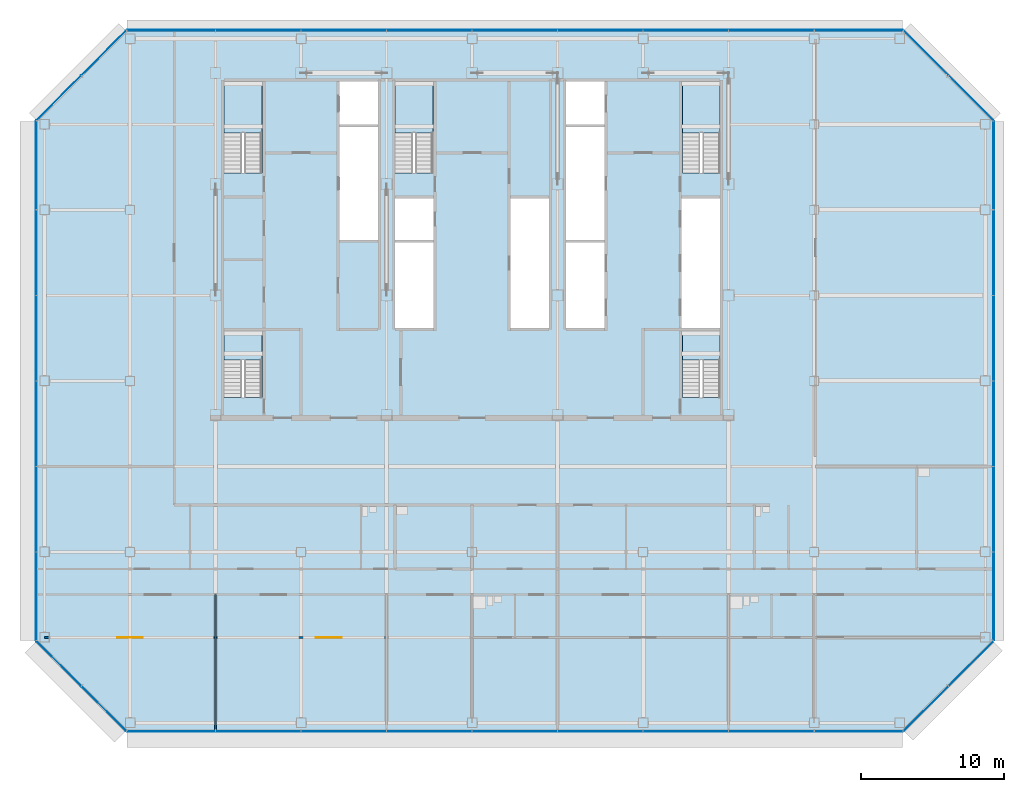
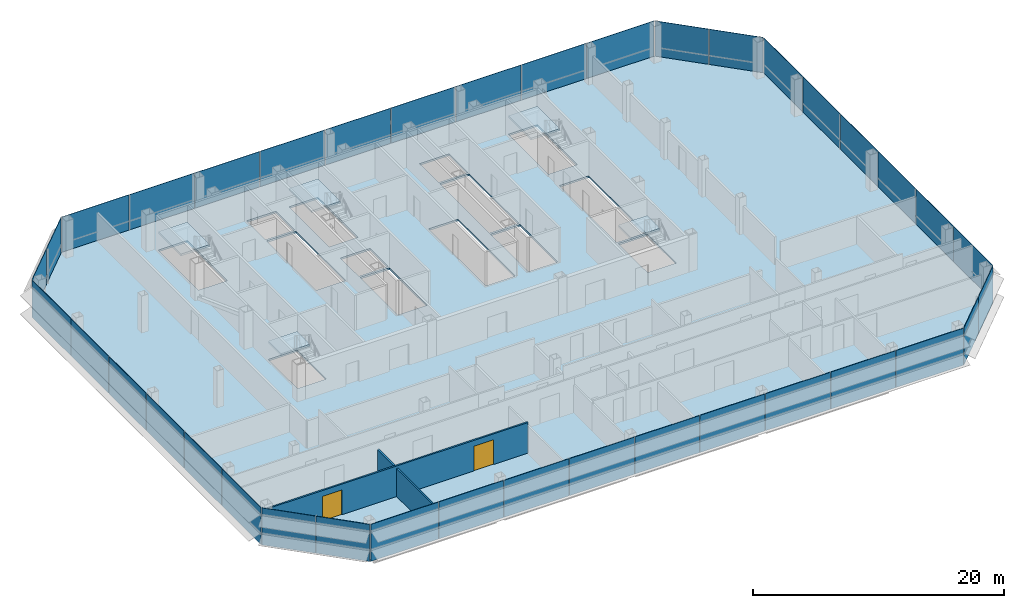
# One storey, part 18 of 24: 38 plates, 6 slabs, 2 doors, 2 walls, 2 openings, 13 elements without a shape of their own.
"""IFC4 building model written with IfcOpenShell, lengths in metres."""

from ifc_helpers import new_model, si_unit, direction, frame, frame_2d, origin, origin_2d, place, context, subcontext, project, spatial, polyline, rectangle, outline, extrude, material, layer, layer_set, type_object, element, fill, aggregate, save


model = new_model("IFC4")

# Units and contexts
model_context = context("Model", 3, precision=1e-05, world=origin(), true_north=direction((0.0, 1.0)))
body_context = subcontext(model_context, "Body", "Model", "MODEL_VIEW")
ifc_project = project(units=[si_unit("LENGTHUNIT", "METRE"), si_unit("AREAUNIT", "SQUARE_METRE"), si_unit("VOLUMEUNIT", "CUBIC_METRE"), si_unit("PLANEANGLEUNIT", "RADIAN"), si_unit("MASSUNIT", "GRAM", prefix="KILO")], contexts=[model_context])

# Site, building, storey
site_placement = place(None, origin())
site = spatial("IfcSite", under=ifc_project, at=site_placement, CompositionType="ELEMENT")
building_placement = place(site_placement, origin())
building = spatial("IfcBuilding", under=site, at=building_placement, Name="Sorahane Residences", CompositionType="ELEMENT")
storey_placement = place(building_placement, frame((0.0, 0.0, 178.0)))
storey = spatial("IfcBuildingStorey", under=building, at=storey_placement, Name="L41", CompositionType="ELEMENT", Elevation=178.0)

# Slab
ifc_material_1 = material(Name="Concrete C35", Category="concrete")
ifc_layer_1 = layer(ifc_material_1, 0.179931640625)
ifc_layer_set_1 = layer_set([ifc_layer_1], Name="Composite floor slab 180 mm Concrete C35")
slab_type_1 = type_object("IfcSlabType", Name="Composite floor slab 180 mm Concrete C35", PredefinedType="FLOOR", material=ifc_layer_set_1)
slab_1_placement = place(storey_placement, frame((0.0, 0.0, -0.179931640625)))
element("IfcSlab", 1, at=slab_1_placement, inside=storey, type_object=slab_type_1, Name="Slab L41", PredefinedType="FLOOR", context=body_context, shape_type="SweptSolid", body=[
    extrude(outline(polyline([(-0.24853515625, -0.60009765625), (-6.60009765625, 5.75146484375), (-6.60009765625, 42.24853515625), (-0.24853515625, 48.60009765625), (54.24853515625, 48.60009765625), (60.60009765625, 42.24853515625), (60.60009765625, 5.75146484375), (54.24853515625, -0.60009765625), (-0.24853515625, -0.60009765625)]), holes=[polyline([(18.60009765625, 27.699951171875), (21.300048828125, 27.699951171875), (21.300048828125, 33.699951171875), (18.60009765625, 33.699951171875), (18.60009765625, 27.699951171875)]), polyline([(38.699951171875, 27.699951171875), (41.39990234375, 27.699951171875), (41.39990234375, 36.800048828125), (38.699951171875, 36.800048828125), (38.699951171875, 27.699951171875)]), polyline([(30.60009765625, 27.699951171875), (33.300048828125, 27.699951171875), (33.300048828125, 33.699951171875), (30.60009765625, 33.699951171875), (30.60009765625, 27.699951171875)]), polyline([(30.60009765625, 42.0), (33.300048828125, 42.0), (33.300048828125, 45.0), (30.60009765625, 45.0), (30.60009765625, 42.0)]), polyline([(14.699951171875, 42.0), (17.39990234375, 42.0), (17.39990234375, 45.0), (14.699951171875, 45.0), (14.699951171875, 42.0)]), polyline([(9.25, 38.60009765625), (9.25, 45.0), (6.60009765625, 45.0), (6.60009765625, 38.60009765625), (9.25, 38.60009765625)]), polyline([(41.39990234375, 38.60009765625), (41.39990234375, 45.0), (38.75, 45.0), (38.75, 38.60009765625), (41.39990234375, 38.60009765625)]), polyline([(21.25, 38.60009765625), (21.25, 45.0), (18.60009765625, 45.0), (18.60009765625, 38.60009765625), (21.25, 38.60009765625)]), polyline([(9.25, 22.85009765625), (9.25, 27.5), (6.60009765625, 27.5), (6.60009765625, 22.85009765625), (9.25, 22.85009765625)]), polyline([(41.39990234375, 22.85009765625), (41.39990234375, 27.5), (38.75, 27.5), (38.75, 22.85009765625), (41.39990234375, 22.85009765625)]), polyline([(14.699951171875, 33.89990234375), (17.39990234375, 33.89990234375), (17.39990234375, 41.800048828125), (14.699951171875, 41.800048828125), (14.699951171875, 33.89990234375)]), polyline([(30.60009765625, 33.89990234375), (33.300048828125, 33.89990234375), (33.300048828125, 41.800048828125), (30.60009765625, 41.800048828125), (30.60009765625, 33.89990234375)]), polyline([(18.60009765625, 33.89990234375), (21.300048828125, 33.89990234375), (21.300048828125, 36.800048828125), (18.60009765625, 36.800048828125), (18.60009765625, 33.89990234375)]), polyline([(26.699951171875, 27.699951171875), (29.39990234375, 27.699951171875), (29.39990234375, 36.800048828125), (26.699951171875, 36.800048828125), (26.699951171875, 27.699951171875)])]), origin(), (0.0, 0.0, 1.0), 0.179931640625),
])

# Curtain wall, plates
ifc_material_2 = material(Name="Dark low-e glass and black anodised aluminium", Category="aluminium")
curtain_wall_type_1 = type_object("IfcCurtainWallType", Name="Curtain wall CW-1 Typical unitised wall", PredefinedType="NOTDEFINED", material=ifc_material_2)
curtain_wall_1_placement = place(storey_placement, origin())
curtain_wall_1 = element("IfcCurtainWall", 2, at=curtain_wall_1_placement, inside=storey, type_object=curtain_wall_type_1, Name="CW-1 curtain wall L41 S1", PredefinedType="NOTDEFINED")
ifc_material_3 = material(Name="Dark low-e glass with black ceramic frit", Category="glass")
ifc_layer_2 = layer(ifc_material_3, 0.0400390625)
ifc_layer_set_2 = layer_set([ifc_layer_2], Name="Curtain wall glass panel dark low-e with black frit spandrel band")
plate_type = type_object("IfcPlateType", Name="Curtain wall glass panel dark low-e with black frit spandrel band", PredefinedType="CURTAIN_PANEL", material=ifc_layer_set_2)
plate_1_placement = place(storey_placement, frame((2.88818359375, -0.60009765625, -0.179931640625), z_axis=(0.0, 0.0, 1.0), x_axis=(1.0, 0.0, 0.0)))
plate_1 = element("IfcPlate", 3, at=plate_1_placement, type_object=plate_type, Name="CW-1 glass panel L41 S1.1", PredefinedType="CURTAIN_PANEL", context=body_context, shape_type="SweptSolid", body=[
    extrude(rectangle(XDim=6.173583984375, YDim=0.0400390625, at=origin_2d()), origin(), (0.0, 0.0, 1.0), 3.60009765625),
])
plate_2_placement = place(storey_placement, frame((9.0, -0.60009765625, -0.179931640625), z_axis=(0.0, 0.0, 1.0), x_axis=(1.0, 0.0, 0.0)))
plate_2 = element("IfcPlate", 4, at=plate_2_placement, type_object=plate_type, Name="CW-1 glass panel L41 S1.2", PredefinedType="CURTAIN_PANEL", context=body_context, shape_type="SweptSolid", body=[
    extrude(rectangle(XDim=5.949951171875, YDim=0.0400390625, at=origin_2d()), origin(), (0.0, 0.0, 1.0), 3.60009765625),
])
plate_3_placement = place(storey_placement, frame((15.0, -0.60009765625, -0.179931640625), z_axis=(0.0, 0.0, 1.0), x_axis=(1.0, 0.0, 0.0)))
plate_3 = element("IfcPlate", 5, at=plate_3_placement, type_object=plate_type, Name="CW-1 glass panel L41 S1.3", PredefinedType="CURTAIN_PANEL", context=body_context, shape_type="SweptSolid", body=[
    extrude(rectangle(XDim=5.949951171875, YDim=0.0400390625, at=origin_2d()), origin(), (0.0, 0.0, 1.0), 3.60009765625),
])
plate_4_placement = place(storey_placement, frame((21.0, -0.60009765625, -0.179931640625), z_axis=(0.0, 0.0, 1.0), x_axis=(1.0, 0.0, 0.0)))
plate_4 = element("IfcPlate", 6, at=plate_4_placement, type_object=plate_type, Name="CW-1 glass panel L41 S1.4", PredefinedType="CURTAIN_PANEL", context=body_context, shape_type="SweptSolid", body=[
    extrude(rectangle(XDim=5.949951171875, YDim=0.0400390625, at=origin_2d()), origin(), (0.0, 0.0, 1.0), 3.60009765625),
])
plate_5_placement = place(storey_placement, frame((27.0, -0.60009765625, -0.179931640625), z_axis=(0.0, 0.0, 1.0), x_axis=(1.0, 0.0, 0.0)))
plate_5 = element("IfcPlate", 7, at=plate_5_placement, type_object=plate_type, Name="CW-1 glass panel L41 S1.5", PredefinedType="CURTAIN_PANEL", context=body_context, shape_type="SweptSolid", body=[
    extrude(rectangle(XDim=5.949951171875, YDim=0.0400390625, at=origin_2d()), origin(), (0.0, 0.0, 1.0), 3.60009765625),
])
plate_6_placement = place(storey_placement, frame((33.0, -0.60009765625, -0.179931640625), z_axis=(0.0, 0.0, 1.0), x_axis=(1.0, 0.0, 0.0)))
plate_6 = element("IfcPlate", 8, at=plate_6_placement, type_object=plate_type, Name="CW-1 glass panel L41 S1.6", PredefinedType="CURTAIN_PANEL", context=body_context, shape_type="SweptSolid", body=[
    extrude(rectangle(XDim=5.949951171875, YDim=0.0400390625, at=origin_2d()), origin(), (0.0, 0.0, 1.0), 3.60009765625),
])
plate_7_placement = place(storey_placement, frame((39.0, -0.60009765625, -0.179931640625), z_axis=(0.0, 0.0, 1.0), x_axis=(1.0, 0.0, 0.0)))
plate_7 = element("IfcPlate", 9, at=plate_7_placement, type_object=plate_type, Name="CW-1 glass panel L41 S1.7", PredefinedType="CURTAIN_PANEL", context=body_context, shape_type="SweptSolid", body=[
    extrude(rectangle(XDim=5.949951171875, YDim=0.0400390625, at=origin_2d()), origin(), (0.0, 0.0, 1.0), 3.60009765625),
])
plate_8_placement = place(storey_placement, frame((45.0, -0.60009765625, -0.179931640625), z_axis=(0.0, 0.0, 1.0), x_axis=(1.0, 0.0, 0.0)))
plate_8 = element("IfcPlate", 10, at=plate_8_placement, type_object=plate_type, Name="CW-1 glass panel L41 S1.8", PredefinedType="CURTAIN_PANEL", context=body_context, shape_type="SweptSolid", body=[
    extrude(rectangle(XDim=5.949951171875, YDim=0.0400390625, at=origin_2d()), origin(), (0.0, 0.0, 1.0), 3.60009765625),
])
plate_9_placement = place(storey_placement, frame((51.11181640625, -0.60009765625, -0.179931640625), z_axis=(0.0, 0.0, 1.0), x_axis=(1.0, 0.0, 0.0)))
plate_9 = element("IfcPlate", 11, at=plate_9_placement, type_object=plate_type, Name="CW-1 glass panel L41 S1.9", PredefinedType="CURTAIN_PANEL", context=body_context, shape_type="SweptSolid", body=[
    extrude(rectangle(XDim=6.173583984375, YDim=0.0400390625, at=origin_2d()), origin(), (0.0, 0.0, 1.0), 3.60009765625),
])
aggregate(curtain_wall_1, [plate_1, plate_2, plate_3, plate_4, plate_5, plate_6, plate_7, plate_8, plate_9])

ifc_material_4 = material(Name="Dark low-e glass and black anodised aluminium", Category="aluminium")
curtain_wall_type_2 = type_object("IfcCurtainWallType", Name="Curtain wall CW-2 Chamfer unitised wall", PredefinedType="NOTDEFINED", material=ifc_material_4)
curtain_wall_2_placement = place(storey_placement, origin())
curtain_wall_2 = element("IfcCurtainWall", 12, at=curtain_wall_2_placement, inside=storey, type_object=curtain_wall_type_2, Name="CW-2 curtain wall L41 SE1", PredefinedType="NOTDEFINED")
plate_10_placement = place(storey_placement, frame((55.84521484375, 0.996826171875, -0.179931640625), z_axis=(0.0, 0.0, 1.0), x_axis=(0.707106781187, 0.707106781187, 0.0)))
plate_10 = element("IfcPlate", 13, at=plate_10_placement, type_object=plate_type, Name="CW-2 glass panel L41 SE1.1", PredefinedType="CURTAIN_PANEL", context=body_context, shape_type="SweptSolid", body=[
    extrude(rectangle(XDim=4.416259765625, YDim=0.0400390625, at=origin_2d()), origin(), (0.0, 0.0, 1.0), 3.60009765625),
])
plate_11_placement = place(storey_placement, frame((59.003173828125, 4.15478515625, -0.179931640625), z_axis=(0.0, 0.0, 1.0), x_axis=(0.707106781187, 0.707106781187, 0.0)))
plate_11 = element("IfcPlate", 14, at=plate_11_placement, type_object=plate_type, Name="CW-2 glass panel L41 SE1.2", PredefinedType="CURTAIN_PANEL", context=body_context, shape_type="SweptSolid", body=[
    extrude(rectangle(XDim=4.416259765625, YDim=0.0400390625, at=origin_2d()), origin(), (0.0, 0.0, 1.0), 3.60009765625),
])
aggregate(curtain_wall_2, [plate_10, plate_11])

curtain_wall_3_placement = place(storey_placement, origin())
curtain_wall_3 = element("IfcCurtainWall", 15, at=curtain_wall_3_placement, inside=storey, type_object=curtain_wall_type_1, Name="CW-1 curtain wall L41 E1", PredefinedType="NOTDEFINED")
plate_12_placement = place(storey_placement, frame((60.60009765625, 8.88818359375, -0.179931640625), z_axis=(0.0, 0.0, 1.0), x_axis=(0.0, 1.0, 0.0)))
plate_12 = element("IfcPlate", 16, at=plate_12_placement, type_object=plate_type, Name="CW-1 glass panel L41 E1.1", PredefinedType="CURTAIN_PANEL", context=body_context, shape_type="SweptSolid", body=[
    extrude(rectangle(XDim=6.173583984375, YDim=0.0400390625, at=origin_2d()), origin(), (0.0, 0.0, 1.0), 3.60009765625),
])
plate_13_placement = place(storey_placement, frame((60.60009765625, 15.0, -0.179931640625), z_axis=(0.0, 0.0, 1.0), x_axis=(0.0, 1.0, 0.0)))
plate_13 = element("IfcPlate", 17, at=plate_13_placement, type_object=plate_type, Name="CW-1 glass panel L41 E1.2", PredefinedType="CURTAIN_PANEL", context=body_context, shape_type="SweptSolid", body=[
    extrude(rectangle(XDim=5.949951171875, YDim=0.0400390625, at=origin_2d()), origin(), (0.0, 0.0, 1.0), 3.60009765625),
])
plate_14_placement = place(storey_placement, frame((60.60009765625, 21.0, -0.179931640625), z_axis=(0.0, 0.0, 1.0), x_axis=(0.0, 1.0, 0.0)))
plate_14 = element("IfcPlate", 18, at=plate_14_placement, type_object=plate_type, Name="CW-1 glass panel L41 E1.3", PredefinedType="CURTAIN_PANEL", context=body_context, shape_type="SweptSolid", body=[
    extrude(rectangle(XDim=5.949951171875, YDim=0.0400390625, at=origin_2d()), origin(), (0.0, 0.0, 1.0), 3.60009765625),
])
plate_15_placement = place(storey_placement, frame((60.60009765625, 27.0, -0.179931640625), z_axis=(0.0, 0.0, 1.0), x_axis=(0.0, 1.0, 0.0)))
plate_15 = element("IfcPlate", 19, at=plate_15_placement, type_object=plate_type, Name="CW-1 glass panel L41 E1.4", PredefinedType="CURTAIN_PANEL", context=body_context, shape_type="SweptSolid", body=[
    extrude(rectangle(XDim=5.949951171875, YDim=0.0400390625, at=origin_2d()), origin(), (0.0, 0.0, 1.0), 3.60009765625),
])
plate_16_placement = place(storey_placement, frame((60.60009765625, 33.0, -0.179931640625), z_axis=(0.0, 0.0, 1.0), x_axis=(0.0, 1.0, 0.0)))
plate_16 = element("IfcPlate", 20, at=plate_16_placement, type_object=plate_type, Name="CW-1 glass panel L41 E1.5", PredefinedType="CURTAIN_PANEL", context=body_context, shape_type="SweptSolid", body=[
    extrude(rectangle(XDim=5.949951171875, YDim=0.0400390625, at=origin_2d()), origin(), (0.0, 0.0, 1.0), 3.60009765625),
])
plate_17_placement = place(storey_placement, frame((60.60009765625, 39.11181640625, -0.179931640625), z_axis=(0.0, 0.0, 1.0), x_axis=(0.0, 1.0, 0.0)))
plate_17 = element("IfcPlate", 21, at=plate_17_placement, type_object=plate_type, Name="CW-1 glass panel L41 E1.6", PredefinedType="CURTAIN_PANEL", context=body_context, shape_type="SweptSolid", body=[
    extrude(rectangle(XDim=6.173583984375, YDim=0.0400390625, at=origin_2d()), origin(), (0.0, 0.0, 1.0), 3.60009765625),
])
aggregate(curtain_wall_3, [plate_12, plate_13, plate_14, plate_15, plate_16, plate_17])

curtain_wall_4_placement = place(storey_placement, origin())
curtain_wall_4 = element("IfcCurtainWall", 22, at=curtain_wall_4_placement, inside=storey, type_object=curtain_wall_type_2, Name="CW-2 curtain wall L41 NE1", PredefinedType="NOTDEFINED")
plate_18_placement = place(storey_placement, frame((59.003173828125, 43.84521484375, -0.179931640625), z_axis=(0.0, 0.0, 1.0), x_axis=(-0.707106781187, 0.707106781187, 0.0)))
plate_18 = element("IfcPlate", 23, at=plate_18_placement, type_object=plate_type, Name="CW-2 glass panel L41 NE1.1", PredefinedType="CURTAIN_PANEL", context=body_context, shape_type="SweptSolid", body=[
    extrude(rectangle(XDim=4.416259765625, YDim=0.0400390625, at=origin_2d()), origin(), (0.0, 0.0, 1.0), 3.60009765625),
])
plate_19_placement = place(storey_placement, frame((55.84521484375, 47.003173828125, -0.179931640625), z_axis=(0.0, 0.0, 1.0), x_axis=(-0.707106781187, 0.707106781187, 0.0)))
plate_19 = element("IfcPlate", 24, at=plate_19_placement, type_object=plate_type, Name="CW-2 glass panel L41 NE1.2", PredefinedType="CURTAIN_PANEL", context=body_context, shape_type="SweptSolid", body=[
    extrude(rectangle(XDim=4.416259765625, YDim=0.0400390625, at=origin_2d()), origin(), (0.0, 0.0, 1.0), 3.60009765625),
])
aggregate(curtain_wall_4, [plate_18, plate_19])

curtain_wall_5_placement = place(storey_placement, origin())
curtain_wall_5 = element("IfcCurtainWall", 25, at=curtain_wall_5_placement, inside=storey, type_object=curtain_wall_type_1, Name="CW-1 curtain wall L41 N1", PredefinedType="NOTDEFINED")
plate_20_placement = place(storey_placement, frame((51.11181640625, 48.60009765625, -0.179931640625), z_axis=(0.0, 0.0, 1.0), x_axis=(-1.0, 0.0, 0.0)))
plate_20 = element("IfcPlate", 26, at=plate_20_placement, type_object=plate_type, Name="CW-1 glass panel L41 N1.1", PredefinedType="CURTAIN_PANEL", context=body_context, shape_type="SweptSolid", body=[
    extrude(rectangle(XDim=6.173583984375, YDim=0.0400390625, at=origin_2d()), origin(), (0.0, 0.0, 1.0), 3.60009765625),
])
plate_21_placement = place(storey_placement, frame((45.0, 48.60009765625, -0.179931640625), z_axis=(0.0, 0.0, 1.0), x_axis=(-1.0, 0.0, 0.0)))
plate_21 = element("IfcPlate", 27, at=plate_21_placement, type_object=plate_type, Name="CW-1 glass panel L41 N1.2", PredefinedType="CURTAIN_PANEL", context=body_context, shape_type="SweptSolid", body=[
    extrude(rectangle(XDim=5.949951171875, YDim=0.0400390625, at=origin_2d()), origin(), (0.0, 0.0, 1.0), 3.60009765625),
])
plate_22_placement = place(storey_placement, frame((39.0, 48.60009765625, -0.179931640625), z_axis=(0.0, 0.0, 1.0), x_axis=(-1.0, 0.0, 0.0)))
plate_22 = element("IfcPlate", 28, at=plate_22_placement, type_object=plate_type, Name="CW-1 glass panel L41 N1.3", PredefinedType="CURTAIN_PANEL", context=body_context, shape_type="SweptSolid", body=[
    extrude(rectangle(XDim=5.949951171875, YDim=0.0400390625, at=origin_2d()), origin(), (0.0, 0.0, 1.0), 3.60009765625),
])
plate_23_placement = place(storey_placement, frame((33.0, 48.60009765625, -0.179931640625), z_axis=(0.0, 0.0, 1.0), x_axis=(-1.0, 0.0, 0.0)))
plate_23 = element("IfcPlate", 29, at=plate_23_placement, type_object=plate_type, Name="CW-1 glass panel L41 N1.4", PredefinedType="CURTAIN_PANEL", context=body_context, shape_type="SweptSolid", body=[
    extrude(rectangle(XDim=5.949951171875, YDim=0.0400390625, at=origin_2d()), origin(), (0.0, 0.0, 1.0), 3.60009765625),
])
plate_24_placement = place(storey_placement, frame((27.0, 48.60009765625, -0.179931640625), z_axis=(0.0, 0.0, 1.0), x_axis=(-1.0, 0.0, 0.0)))
plate_24 = element("IfcPlate", 30, at=plate_24_placement, type_object=plate_type, Name="CW-1 glass panel L41 N1.5", PredefinedType="CURTAIN_PANEL", context=body_context, shape_type="SweptSolid", body=[
    extrude(rectangle(XDim=5.949951171875, YDim=0.0400390625, at=origin_2d()), origin(), (0.0, 0.0, 1.0), 3.60009765625),
])
plate_25_placement = place(storey_placement, frame((21.0, 48.60009765625, -0.179931640625), z_axis=(0.0, 0.0, 1.0), x_axis=(-1.0, 0.0, 0.0)))
plate_25 = element("IfcPlate", 31, at=plate_25_placement, type_object=plate_type, Name="CW-1 glass panel L41 N1.6", PredefinedType="CURTAIN_PANEL", context=body_context, shape_type="SweptSolid", body=[
    extrude(rectangle(XDim=5.949951171875, YDim=0.0400390625, at=origin_2d()), origin(), (0.0, 0.0, 1.0), 3.60009765625),
])
plate_26_placement = place(storey_placement, frame((15.0, 48.60009765625, -0.179931640625), z_axis=(0.0, 0.0, 1.0), x_axis=(-1.0, 0.0, 0.0)))
plate_26 = element("IfcPlate", 32, at=plate_26_placement, type_object=plate_type, Name="CW-1 glass panel L41 N1.7", PredefinedType="CURTAIN_PANEL", context=body_context, shape_type="SweptSolid", body=[
    extrude(rectangle(XDim=5.949951171875, YDim=0.0400390625, at=origin_2d()), origin(), (0.0, 0.0, 1.0), 3.60009765625),
])
plate_27_placement = place(storey_placement, frame((9.0, 48.60009765625, -0.179931640625), z_axis=(0.0, 0.0, 1.0), x_axis=(-1.0, 0.0, 0.0)))
plate_27 = element("IfcPlate", 33, at=plate_27_placement, type_object=plate_type, Name="CW-1 glass panel L41 N1.8", PredefinedType="CURTAIN_PANEL", context=body_context, shape_type="SweptSolid", body=[
    extrude(rectangle(XDim=5.949951171875, YDim=0.0400390625, at=origin_2d()), origin(), (0.0, 0.0, 1.0), 3.60009765625),
])
plate_28_placement = place(storey_placement, frame((2.88818359375, 48.60009765625, -0.179931640625), z_axis=(0.0, 0.0, 1.0), x_axis=(-1.0, 0.0, 0.0)))
plate_28 = element("IfcPlate", 34, at=plate_28_placement, type_object=plate_type, Name="CW-1 glass panel L41 N1.9", PredefinedType="CURTAIN_PANEL", context=body_context, shape_type="SweptSolid", body=[
    extrude(rectangle(XDim=6.173583984375, YDim=0.0400390625, at=origin_2d()), origin(), (0.0, 0.0, 1.0), 3.60009765625),
])
aggregate(curtain_wall_5, [plate_20, plate_21, plate_22, plate_23, plate_24, plate_25, plate_26, plate_27, plate_28])

curtain_wall_6_placement = place(storey_placement, origin())
curtain_wall_6 = element("IfcCurtainWall", 35, at=curtain_wall_6_placement, inside=storey, type_object=curtain_wall_type_2, Name="CW-2 curtain wall L41 NW1", PredefinedType="NOTDEFINED")
plate_29_placement = place(storey_placement, frame((-1.84521484375, 47.003173828125, -0.179931640625), z_axis=(0.0, 0.0, 1.0), x_axis=(-0.707106781187, -0.707106781187, 0.0)))
plate_29 = element("IfcPlate", 36, at=plate_29_placement, type_object=plate_type, Name="CW-2 glass panel L41 NW1.1", PredefinedType="CURTAIN_PANEL", context=body_context, shape_type="SweptSolid", body=[
    extrude(rectangle(XDim=4.416259765625, YDim=0.0400390625, at=origin_2d()), origin(), (0.0, 0.0, 1.0), 3.60009765625),
])
plate_30_placement = place(storey_placement, frame((-5.003173828125, 43.84521484375, -0.179931640625), z_axis=(0.0, 0.0, 1.0), x_axis=(-0.707106781187, -0.707106781187, 0.0)))
plate_30 = element("IfcPlate", 37, at=plate_30_placement, type_object=plate_type, Name="CW-2 glass panel L41 NW1.2", PredefinedType="CURTAIN_PANEL", context=body_context, shape_type="SweptSolid", body=[
    extrude(rectangle(XDim=4.416259765625, YDim=0.0400390625, at=origin_2d()), origin(), (0.0, 0.0, 1.0), 3.60009765625),
])
aggregate(curtain_wall_6, [plate_29, plate_30])

curtain_wall_7_placement = place(storey_placement, origin())
curtain_wall_7 = element("IfcCurtainWall", 38, at=curtain_wall_7_placement, inside=storey, type_object=curtain_wall_type_1, Name="CW-1 curtain wall L41 W1", PredefinedType="NOTDEFINED")
plate_31_placement = place(storey_placement, frame((-6.60009765625, 39.11181640625, -0.179931640625), z_axis=(0.0, 0.0, 1.0), x_axis=(0.0, -1.0, 0.0)))
plate_31 = element("IfcPlate", 39, at=plate_31_placement, type_object=plate_type, Name="CW-1 glass panel L41 W1.1", PredefinedType="CURTAIN_PANEL", context=body_context, shape_type="SweptSolid", body=[
    extrude(rectangle(XDim=6.173583984375, YDim=0.0400390625, at=origin_2d()), origin(), (0.0, 0.0, 1.0), 3.60009765625),
])
plate_32_placement = place(storey_placement, frame((-6.60009765625, 33.0, -0.179931640625), z_axis=(0.0, 0.0, 1.0), x_axis=(0.0, -1.0, 0.0)))
plate_32 = element("IfcPlate", 40, at=plate_32_placement, type_object=plate_type, Name="CW-1 glass panel L41 W1.2", PredefinedType="CURTAIN_PANEL", context=body_context, shape_type="SweptSolid", body=[
    extrude(rectangle(XDim=5.949951171875, YDim=0.0400390625, at=origin_2d()), origin(), (0.0, 0.0, 1.0), 3.60009765625),
])
plate_33_placement = place(storey_placement, frame((-6.60009765625, 27.0, -0.179931640625), z_axis=(0.0, 0.0, 1.0), x_axis=(0.0, -1.0, 0.0)))
plate_33 = element("IfcPlate", 41, at=plate_33_placement, type_object=plate_type, Name="CW-1 glass panel L41 W1.3", PredefinedType="CURTAIN_PANEL", context=body_context, shape_type="SweptSolid", body=[
    extrude(rectangle(XDim=5.949951171875, YDim=0.0400390625, at=origin_2d()), origin(), (0.0, 0.0, 1.0), 3.60009765625),
])
plate_34_placement = place(storey_placement, frame((-6.60009765625, 21.0, -0.179931640625), z_axis=(0.0, 0.0, 1.0), x_axis=(0.0, -1.0, 0.0)))
plate_34 = element("IfcPlate", 42, at=plate_34_placement, type_object=plate_type, Name="CW-1 glass panel L41 W1.4", PredefinedType="CURTAIN_PANEL", context=body_context, shape_type="SweptSolid", body=[
    extrude(rectangle(XDim=5.949951171875, YDim=0.0400390625, at=origin_2d()), origin(), (0.0, 0.0, 1.0), 3.60009765625),
])
plate_35_placement = place(storey_placement, frame((-6.60009765625, 15.0, -0.179931640625), z_axis=(0.0, 0.0, 1.0), x_axis=(0.0, -1.0, 0.0)))
plate_35 = element("IfcPlate", 43, at=plate_35_placement, type_object=plate_type, Name="CW-1 glass panel L41 W1.5", PredefinedType="CURTAIN_PANEL", context=body_context, shape_type="SweptSolid", body=[
    extrude(rectangle(XDim=5.949951171875, YDim=0.0400390625, at=origin_2d()), origin(), (0.0, 0.0, 1.0), 3.60009765625),
])
plate_36_placement = place(storey_placement, frame((-6.60009765625, 8.88818359375, -0.179931640625), z_axis=(0.0, 0.0, 1.0), x_axis=(0.0, -1.0, 0.0)))
plate_36 = element("IfcPlate", 44, at=plate_36_placement, type_object=plate_type, Name="CW-1 glass panel L41 W1.6", PredefinedType="CURTAIN_PANEL", context=body_context, shape_type="SweptSolid", body=[
    extrude(rectangle(XDim=6.173583984375, YDim=0.0400390625, at=origin_2d()), origin(), (0.0, 0.0, 1.0), 3.60009765625),
])
aggregate(curtain_wall_7, [plate_31, plate_32, plate_33, plate_34, plate_35, plate_36])

curtain_wall_8_placement = place(storey_placement, origin())
curtain_wall_8 = element("IfcCurtainWall", 45, at=curtain_wall_8_placement, inside=storey, type_object=curtain_wall_type_2, Name="CW-2 curtain wall L41 SW1", PredefinedType="NOTDEFINED")
plate_37_placement = place(storey_placement, frame((-5.003173828125, 4.15478515625, -0.179931640625), z_axis=(0.0, 0.0, 1.0), x_axis=(0.707106781187, -0.707106781187, 0.0)))
plate_37 = element("IfcPlate", 46, at=plate_37_placement, type_object=plate_type, Name="CW-2 glass panel L41 SW1.1", PredefinedType="CURTAIN_PANEL", context=body_context, shape_type="SweptSolid", body=[
    extrude(rectangle(XDim=4.416259765625, YDim=0.0400390625, at=origin_2d()), origin(), (0.0, 0.0, 1.0), 3.60009765625),
])
plate_38_placement = place(storey_placement, frame((-1.84521484375, 0.996826171875, -0.179931640625), z_axis=(0.0, 0.0, 1.0), x_axis=(0.707106781187, -0.707106781187, 0.0)))
plate_38 = element("IfcPlate", 47, at=plate_38_placement, type_object=plate_type, Name="CW-2 glass panel L41 SW1.2", PredefinedType="CURTAIN_PANEL", context=body_context, shape_type="SweptSolid", body=[
    extrude(rectangle(XDim=4.416259765625, YDim=0.0400390625, at=origin_2d()), origin(), (0.0, 0.0, 1.0), 3.60009765625),
])
aggregate(curtain_wall_8, [plate_37, plate_38])

# Stair, slab
ifc_material_5 = material(Name="Concrete C40", Category="concrete")
stair_type = type_object("IfcStairType", Name="Dog-leg stair 1250 Concrete C40", PredefinedType="HALF_TURN_STAIR", material=ifc_material_5)
stair_1_placement = place(storey_placement, origin())
stair_1 = element("IfcStair", 48, at=stair_1_placement, inside=storey, type_object=stair_type, Name="L41 Stair S1", PredefinedType="HALF_TURN_STAIR")
ifc_material_6 = material(Name="Concrete C40", Category="concrete")
ifc_layer_3 = layer(ifc_material_6, 0.199951171875)
ifc_layer_set_3 = layer_set([ifc_layer_3], Name="Stair landing 200 Concrete C40")
slab_type_2 = type_object("IfcSlabType", Name="Stair landing 200 Concrete C40", PredefinedType="LANDING", material=ifc_layer_set_3)
slab_2_placement = place(storey_placement, frame((0.0, 0.0, 1.60009765625)))
slab_2 = element("IfcSlab", 49, at=slab_2_placement, type_object=slab_type_2, Name="S1 landing 1", PredefinedType="LANDING", context=body_context, shape_type="SweptSolid", body=[
    extrude(outline(polyline([(9.25, 41.39990234375), (9.25, 45.0), (6.60009765625, 45.0), (6.60009765625, 41.39990234375), (9.25, 41.39990234375)])), origin(), (0.0, 0.0, 1.0), 0.199951171875),
])
aggregate(stair_1, [slab_2])

stair_2_placement = place(storey_placement, origin())
stair_2 = element("IfcStair", 50, at=stair_2_placement, inside=storey, type_object=stair_type, Name="L41 Stair S2", PredefinedType="HALF_TURN_STAIR")
slab_3_placement = place(storey_placement, frame((0.0, 0.0, 1.60009765625)))
slab_3 = element("IfcSlab", 51, at=slab_3_placement, type_object=slab_type_2, Name="S2 landing 1", PredefinedType="LANDING", context=body_context, shape_type="SweptSolid", body=[
    extrude(outline(polyline([(41.39990234375, 41.39990234375), (41.39990234375, 45.0), (38.75, 45.0), (38.75, 41.39990234375), (41.39990234375, 41.39990234375)])), origin(), (0.0, 0.0, 1.0), 0.199951171875),
])
aggregate(stair_2, [slab_3])

stair_3_placement = place(storey_placement, origin())
stair_3 = element("IfcStair", 52, at=stair_3_placement, inside=storey, type_object=stair_type, Name="L41 Stair S3", PredefinedType="HALF_TURN_STAIR")
slab_4_placement = place(storey_placement, frame((0.0, 0.0, 1.60009765625)))
slab_4 = element("IfcSlab", 53, at=slab_4_placement, type_object=slab_type_2, Name="S3 landing 1", PredefinedType="LANDING", context=body_context, shape_type="SweptSolid", body=[
    extrude(outline(polyline([(21.25, 41.39990234375), (21.25, 45.0), (18.60009765625, 45.0), (18.60009765625, 41.39990234375), (21.25, 41.39990234375)])), origin(), (0.0, 0.0, 1.0), 0.199951171875),
])
aggregate(stair_3, [slab_4])

stair_4_placement = place(storey_placement, origin())
stair_4 = element("IfcStair", 54, at=stair_4_placement, inside=storey, type_object=stair_type, Name="L41 Stair S4", PredefinedType="HALF_TURN_STAIR")
slab_5_placement = place(storey_placement, frame((0.0, 0.0, 1.60009765625)))
slab_5 = element("IfcSlab", 55, at=slab_5_placement, type_object=slab_type_2, Name="S4 landing 1", PredefinedType="LANDING", context=body_context, shape_type="SweptSolid", body=[
    extrude(outline(polyline([(9.25, 25.449951171875), (9.25, 27.5), (6.60009765625, 27.5), (6.60009765625, 25.449951171875), (9.25, 25.449951171875)])), origin(), (0.0, 0.0, 1.0), 0.199951171875),
])
aggregate(stair_4, [slab_5])

stair_5_placement = place(storey_placement, origin())
stair_5 = element("IfcStair", 56, at=stair_5_placement, inside=storey, type_object=stair_type, Name="L41 Stair S5", PredefinedType="HALF_TURN_STAIR")
slab_6_placement = place(storey_placement, frame((0.0, 0.0, 1.60009765625)))
slab_6 = element("IfcSlab", 57, at=slab_6_placement, type_object=slab_type_2, Name="S5 landing 1", PredefinedType="LANDING", context=body_context, shape_type="SweptSolid", body=[
    extrude(outline(polyline([(41.39990234375, 25.449951171875), (41.39990234375, 27.5), (38.75, 27.5), (38.75, 25.449951171875), (41.39990234375, 25.449951171875)])), origin(), (0.0, 0.0, 1.0), 0.199951171875),
])
aggregate(stair_5, [slab_6])

# Wall
ifc_material_7 = material(Name="Gypsum board partition on steel studs", Category="steel")
ifc_layer_4 = layer(ifc_material_7, 0.14990234375)
ifc_layer_set_4 = layer_set([ifc_layer_4], Name="Partition 150 EI 90")
wall_type = type_object("IfcWallType", Name="Partition 150 EI 90", PredefinedType="PARTITIONING", material=ifc_layer_set_4)
wall_1_placement = place(storey_placement, frame((6.0, -0.60009765625, 0.0), z_axis=(0.0, 0.0, 1.0), x_axis=(0.0, 1.0, 0.0)))
element("IfcWall", 58, at=wall_1_placement, inside=storey, type_object=wall_type, Name="L41 partition", PredefinedType="PARTITIONING", context=body_context, shape_type="SweptSolid", body=[
    extrude(rectangle(XDim=9.60009765625, YDim=0.14990234375, at=frame_2d((4.800048828125, 0.0))), origin(), (0.0, 0.0, 1.0), 2.719970703125),
])

# Wall, openings, doors
wall_2_placement = place(storey_placement, frame((-6.0, 6.0, 0.0), z_axis=(0.0, 0.0, 1.0), x_axis=(1.0, 0.0, 0.0)))
wall_2 = element("IfcWall", 59, at=wall_2_placement, inside=storey, type_object=wall_type, Name="L41 partition", PredefinedType="PARTITIONING", context=body_context, shape_type="SweptSolid", body=[
    extrude(rectangle(XDim=24.0, YDim=0.14990234375, at=frame_2d((12.0, 0.0))), origin(), (0.0, 0.0, 1.0), 2.969970703125),
])
opening_1_placement = place(wall_2_placement, frame((5.10009765625, 0.0, 0.0)))
opening_1 = element("IfcOpeningElement", 60, at=opening_1_placement, cuts=wall_2, Name="Opening L41-10", PredefinedType="OPENING", context=body_context, shape_type="SweptSolid", body=[
    extrude(rectangle(XDim=1.800048828125, YDim=2.39990234375, at=frame_2d((0.89990234375, 1.199951171875))), frame((0.0, 0.0849609375, 0.0), z_axis=(0.0, -1.0, 0.0), x_axis=(1.0, 0.0, 0.0)), (0.0, 0.0, 1.0), 0.169921875),
])
opening_2_placement = place(wall_2_placement, frame((19.0400390625, 0.0, 0.0)))
opening_2 = element("IfcOpeningElement", 61, at=opening_2_placement, cuts=wall_2, Name="Opening L41-11", PredefinedType="OPENING", context=body_context, shape_type="SweptSolid", body=[
    extrude(rectangle(XDim=1.800048828125, YDim=2.39990234375, at=frame_2d((0.89990234375, 1.199951171875))), frame((0.0, 0.0849609375, 0.0), z_axis=(0.0, -1.0, 0.0), x_axis=(1.0, 0.0, 0.0)), (0.0, 0.0, 1.0), 0.169921875),
])
ifc_material_8 = material(Name="Timber veneered fire door", Category="wood")
door_type = type_object("IfcDoorType", Name="Double door 1800x2400 FD30", OperationType="NOTDEFINED", PredefinedType="DOOR", material=ifc_material_8)
door_1_placement = place(opening_1_placement, frame((1.800048828125, 0.0, 0.0), z_axis=(0.0, 0.0, 1.0), x_axis=(-1.0, 0.0, 0.0)))
door_1 = element("IfcDoor", 62, at=door_1_placement, inside=storey, type_object=door_type, Name="Double door L41-10", OperationType="SINGLE_SWING_RIGHT", OverallHeight=2.39990234375, OverallWidth=1.800048828125, PredefinedType="DOOR", context=body_context, shape_type="SweptSolid", body=[
    extrude(rectangle(XDim=1.800048828125, YDim=2.39990234375, at=frame_2d((0.89990234375, 1.199951171875))), frame((0.0, 0.02490234375, 0.0), z_axis=(0.0, -1.0, 0.0), x_axis=(1.0, 0.0, 0.0)), (0.0, 0.0, 1.0), 0.050048828125),
])
fill(opening_1, door_1)
door_2_placement = place(opening_2_placement, frame((1.800048828125, 0.0, 0.0), z_axis=(0.0, 0.0, 1.0), x_axis=(-1.0, 0.0, 0.0)))
door_2 = element("IfcDoor", 63, at=door_2_placement, inside=storey, type_object=door_type, Name="Double door L41-11", OperationType="SINGLE_SWING_RIGHT", OverallHeight=2.39990234375, OverallWidth=1.800048828125, PredefinedType="DOOR", context=body_context, shape_type="SweptSolid", body=[
    extrude(rectangle(XDim=1.800048828125, YDim=2.39990234375, at=frame_2d((0.89990234375, 1.199951171875))), frame((0.0, 0.02490234375, 0.0), z_axis=(0.0, -1.0, 0.0), x_axis=(1.0, 0.0, 0.0)), (0.0, 0.0, 1.0), 0.050048828125),
])
fill(opening_2, door_2)

save(model, "model.ifc")
